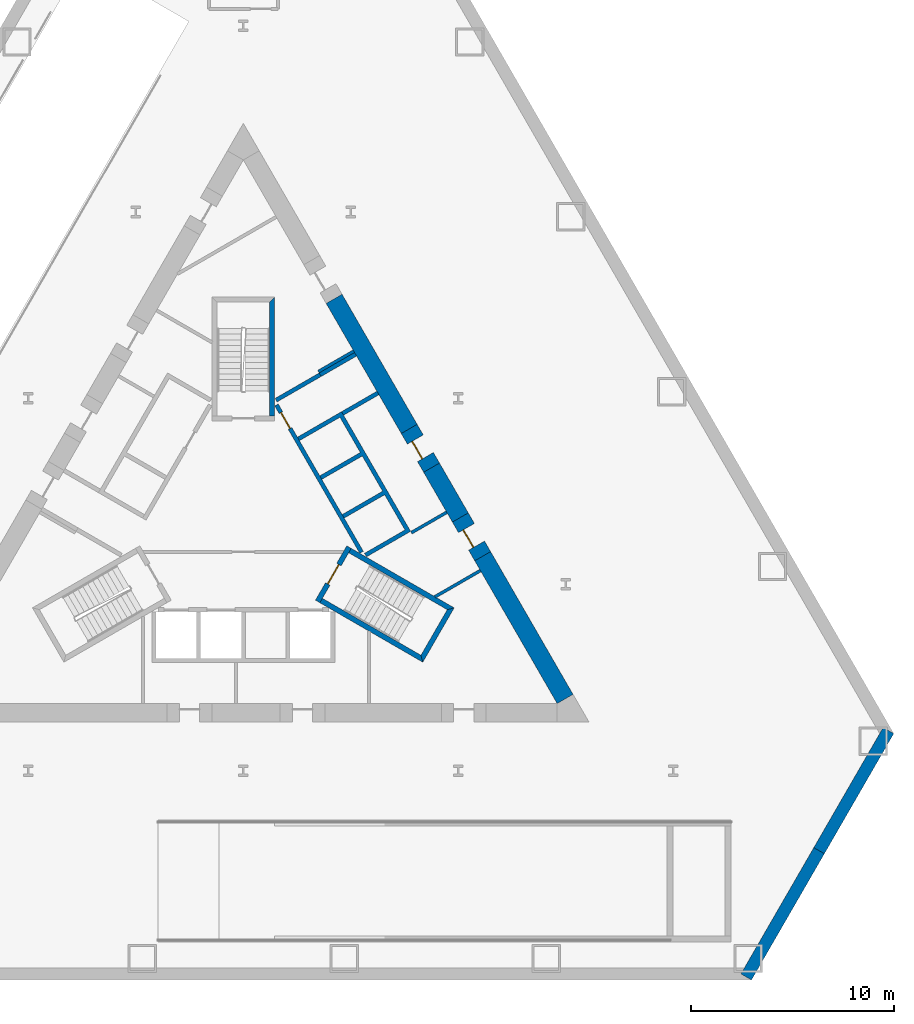
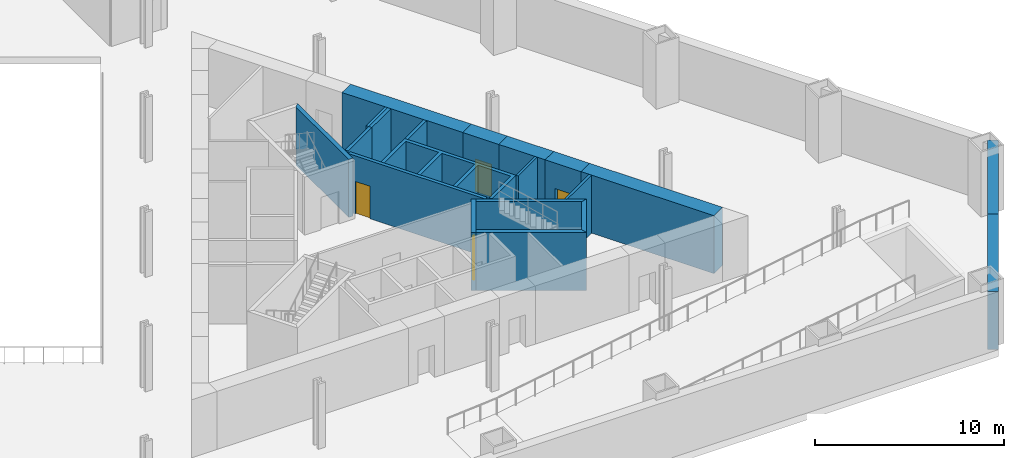
# One storey, part 3 of 5: 20 walls, 4 doors, 4 openings.
"""IFC4 building model written with IfcOpenShell, lengths in metres."""

import ifcopenshell
import ifcopenshell.guid

model = None  # the IFC model being written
_history = None  # IfcOwnerHistory: only IFC2X3 demands one
_inside = {}  # id of a spatial element -> (the spatial element, [elements in it])
_under = {}  # id of a project, library or spatial element -> (it, [spatial elements below it])
_declared = {}  # id of a project -> (the project, [libraries it declares])
_typed = {}  # id of a type object -> (the type object, [elements of that type])
_made_of = {}  # id of a material, layer set ... -> (it, [elements and type objects made of it])


def new_model(schema):
    """Start an empty IFC model of exactly this schema.

    Asked for "IFC4X3", IfcOpenShell would pick the latest addendum, in which some entities
    have other attributes; the version numbers below select the first issue.
    IFC2X3 requires an IfcOwnerHistory on every rooted entity: one is made here for all.
    """
    global model, _history
    if schema == "IFC4X3":
        model = ifcopenshell.file(schema_version=(4, 3, 0, 0))
    else:
        model = ifcopenshell.file(schema=schema)
    _inside.clear()
    _under.clear()
    _declared.clear()
    _typed.clear()
    _made_of.clear()
    _history = None
    if model.schema == "IFC2X3":
        org = make("IfcOrganization", Name="unknown")
        user = make(
            "IfcPersonAndOrganization",
            ThePerson=make("IfcPerson", FamilyName="unknown"),
            TheOrganization=org,
        )
        app = make(
            "IfcApplication",
            ApplicationDeveloper=org,
            Version="unknown",
            ApplicationFullName="unknown",
            ApplicationIdentifier="unknown",
        )
        _history = make(
            "IfcOwnerHistory",
            OwningUser=user,
            OwningApplication=app,
            ChangeAction="ADDED",
            CreationDate=0,
        )
    return model


def make(cls, **values):
    """One entity of the class cls with the attributes given. An attribute that is None is left unset."""
    return model.create_entity(
        cls, **{name: value for name, value in values.items() if value is not None}
    )


def rooted(cls, **values):
    """An entity with a GlobalId (a new one), such as an element, a storey or a relation."""
    return make(cls, GlobalId=ifcopenshell.guid.new(), OwnerHistory=_history, **values)


def si_unit(unit_type, name, prefix=None):
    """IfcSIUnit, for example si_unit("LENGTHUNIT", "METRE", prefix="MILLI")."""
    return make("IfcSIUnit", UnitType=unit_type, Prefix=prefix, Name=name)


def assignment(units):
    """IfcUnitAssignment: the units of a project."""
    return None if units is None else make("IfcUnitAssignment", Units=units)


def point(xyz):
    """IfcCartesianPoint."""
    return None if xyz is None else make("IfcCartesianPoint", Coordinates=xyz)


def direction(xyz):
    """IfcDirection."""
    return None if xyz is None else make("IfcDirection", DirectionRatios=xyz)


def frame(location, z_axis=None, x_axis=None):
    """IfcAxis2Placement3D, a coordinate frame: its origin and axes. An axis left out is left unset."""
    return make(
        "IfcAxis2Placement3D",
        Location=point(location),
        Axis=direction(z_axis),
        RefDirection=direction(x_axis),
    )


def frame_2d(location, x_axis=None):
    """IfcAxis2Placement2D, a coordinate frame in the plane: its origin and x axis."""
    return make(
        "IfcAxis2Placement2D", Location=point(location), RefDirection=direction(x_axis)
    )


def origin():
    """The frame at (0, 0, 0) with its axes left unset."""
    return frame((0.0, 0.0, 0.0))


def place(relative_to, where):
    """IfcLocalPlacement: puts the frame where relative to a parent placement (None: the world)."""
    return make(
        "IfcLocalPlacement", PlacementRelTo=relative_to, RelativePlacement=where
    )


def context(
    kind, dimensions, precision=None, world=None, true_north=None, identifier=None
):
    """IfcGeometricRepresentationContext, for example the 3D "Model" context."""
    return make(
        "IfcGeometricRepresentationContext",
        ContextIdentifier=identifier,
        ContextType=kind,
        CoordinateSpaceDimension=dimensions,
        Precision=precision,
        WorldCoordinateSystem=world,
        TrueNorth=true_north,
    )


def subcontext(parent, identifier, kind, view, scale=None):
    """IfcGeometricRepresentationSubContext, for example "Body" below "Model"."""
    return make(
        "IfcGeometricRepresentationSubContext",
        ContextIdentifier=identifier,
        ContextType=kind,
        ParentContext=parent,
        TargetScale=scale,
        TargetView=view,
    )


def project(units=None, contexts=None):
    """IfcProject with its units and contexts."""
    return rooted(
        "IfcProject",
        Name="project",
        RepresentationContexts=contexts,
        UnitsInContext=assignment(units),
    )


def spatial(cls, under=None, at=None, **own):
    """A site, building, storey or space (cls), placed at a placement, below another one or the project."""
    s = rooted(cls, ObjectPlacement=at, **own)
    if under is not None:
        _under.setdefault(under.id(), (under, []))[1].append(s)
    return s


def polyline(points):
    """IfcPolyline through the points."""
    return make("IfcPolyline", Points=[point(p) for p in points])


def profile(cls, at=None, kind="AREA", **sizes):
    """A parametric profile (cls). Its sizes go by their IFC names, for example OverallWidth=200.0."""
    return make(cls, ProfileType=kind, Position=at, **sizes)


def rectangle(**sizes):
    """IfcRectangleProfileDef."""
    return profile("IfcRectangleProfileDef", **sizes)


def outline(outer, holes=None, kind="AREA"):
    """IfcArbitraryClosedProfileDef: a profile drawn as a closed curve; with holes, ...WithVoids."""
    if holes is None:
        return make("IfcArbitraryClosedProfileDef", ProfileType=kind, OuterCurve=outer)
    return make(
        "IfcArbitraryProfileDefWithVoids",
        ProfileType=kind,
        OuterCurve=outer,
        InnerCurves=holes,
    )


def extrude(swept, where, along, depth):
    """IfcExtrudedAreaSolid: the profile swept, set in the frame where, extruded along a direction by depth."""
    return make(
        "IfcExtrudedAreaSolid",
        SweptArea=swept,
        Position=where,
        ExtrudedDirection=direction(along),
        Depth=depth,
    )


def shape(context_of_items, identifier, shape_type, items):
    """IfcShapeRepresentation: the items that make up one representation, for example the "Body"."""
    return make(
        "IfcShapeRepresentation",
        ContextOfItems=context_of_items,
        RepresentationIdentifier=identifier,
        RepresentationType=shape_type,
        Items=items,
    )


def material(Name=None, Category=None):
    """IfcMaterial."""
    return make("IfcMaterial", Name=Name, Category=Category)


def layer(
    of_material, thickness, ventilated=None, Name=None, Category=None, Priority=None
):
    """IfcMaterialLayer: one layer of a wall or slab, of a material (None: an air gap)."""
    return make(
        "IfcMaterialLayer",
        Material=of_material,
        LayerThickness=thickness,
        IsVentilated=ventilated,
        Name=Name,
        Category=Category,
        Priority=Priority,
    )


def layer_set(layers, Name=None):
    """IfcMaterialLayerSet."""
    return make("IfcMaterialLayerSet", MaterialLayers=layers, LayerSetName=Name)


def made_of(thing, what):
    """Note that an element or type object is made of a material, layer set ...; save() writes the relation."""
    if what is not None:
        _made_of.setdefault(what.id(), (what, []))[1].append(thing)
    return thing


def type_object(cls, material=None, **own):
    """A type object (cls), such as IfcWallType, which elements share."""
    return made_of(rooted(cls, **own), material)


def element(
    cls,
    number,
    at=None,
    inside=None,
    cuts=None,
    type_object=None,
    material=None,
    context=None,
    identifier="Body",
    shape_type=None,
    held_by="IfcProductDefinitionShape",
    body=None,
    shapes=None,
    **own,
):
    """One element of the class cls, such as IfcWall. Its Tag is "e" and its number.

    at: its placement. inside: the storey or other place that contains it. cuts: it is an
    opening in that element (IfcRelVoidsElement). A single representation is given by context,
    identifier, shape_type and body (its items); several are given by shapes. held_by: the class
    of the entity that holds the representations. save() writes the other relations.
    """
    e = rooted(cls, Tag="e%d" % number, ObjectPlacement=at, **own)
    if body is not None:
        shapes = [shape(context, identifier, shape_type, body)]
    if shapes is not None:
        e.Representation = make(held_by, Representations=shapes)
    if inside is not None:
        _inside.setdefault(inside.id(), (inside, []))[1].append(e)
    if cuts is not None:
        rooted(
            "IfcRelVoidsElement", RelatingBuildingElement=cuts, RelatedOpeningElement=e
        )
    if type_object is not None:
        _typed.setdefault(type_object.id(), (type_object, []))[1].append(e)
    return made_of(e, material)


def fill(opening, filler):
    """IfcRelFillsElement: the door or window that sits in an opening."""
    return rooted(
        "IfcRelFillsElement",
        RelatingOpeningElement=opening,
        RelatedBuildingElement=filler,
    )


def aggregate(whole, parts):
    """IfcRelAggregates: a whole, such as a stair, and the parts it consists of."""
    return rooted("IfcRelAggregates", RelatingObject=whole, RelatedObjects=parts)


def save(model, path):
    """Write the relations noted so far, then the file.

    IfcRelAggregates (storeys below a building ...), IfcRelContainedInSpatialStructure (elements
    in a storey), IfcRelDefinesByType, IfcRelAssociatesMaterial and IfcRelDeclares: one each for
    every whole, place, type object, material and project.
    """
    for whole, parts in _under.values():
        aggregate(whole, parts)
    for where, things in _inside.values():
        rooted(
            "IfcRelContainedInSpatialStructure",
            RelatedElements=things,
            RelatingStructure=where,
        )
    for kind, things in _typed.values():
        rooted("IfcRelDefinesByType", RelatedObjects=things, RelatingType=kind)
    for what, things in _made_of.values():
        rooted("IfcRelAssociatesMaterial", RelatedObjects=things, RelatingMaterial=what)
    for by, libraries in _declared.values():
        rooted("IfcRelDeclares", RelatingContext=by, RelatedDefinitions=libraries)
    model.write(path)


model = new_model("IFC4")

# Units and contexts
model_context = context("Model", 3, precision=1e-05, world=origin(), true_north=direction((0.0, 1.0)))
body_context = subcontext(model_context, "Body", "Model", "MODEL_VIEW")
ifc_project = project(units=[si_unit("LENGTHUNIT", "METRE"), si_unit("AREAUNIT", "SQUARE_METRE"), si_unit("VOLUMEUNIT", "CUBIC_METRE"), si_unit("PLANEANGLEUNIT", "RADIAN"), si_unit("MASSUNIT", "GRAM", prefix="KILO")], contexts=[model_context])

# Site, building, storey
site_placement = place(None, origin())
site = spatial("IfcSite", under=ifc_project, at=site_placement, CompositionType="ELEMENT")
building_placement = place(site_placement, origin())
building = spatial("IfcBuilding", under=site, at=building_placement, Name="Cormorant Prow Tower", CompositionType="ELEMENT")
storey_placement = place(building_placement, frame((0.0, 0.0, -4.199951171875)))
storey = spatial("IfcBuildingStorey", under=building, at=storey_placement, Name="B1", CompositionType="ELEMENT", Elevation=-4.199951171875)

# Walls
ifc_material_1 = material(Name="Concrete C45/55", Category="concrete")
ifc_layer_1 = layer(ifc_material_1, 0.60009765625)
ifc_layer_set_1 = layer_set([ifc_layer_1], Name="Concrete C45/55")
wall_type_1 = type_object("IfcWallType", Name="Basement retaining wall 600", PredefinedType="SOLIDWALL", material=ifc_layer_set_1)
for number, where, z_axis, x_axis, name in (
    (1, (24.740234375, -22.36669921875, 0.0), (0.0, 0.0, 1.0), (0.500008229653, 0.86602065234, 0.0), "Basement retaining wall 2 at B1"),
    (2, (28.153564453125, -16.45458984375, 0.0), (0.0, 0.0, 1.0), (0.499993492265, 0.866029160995, 0.0), "Basement retaining wall 3 at B1"),
):
    element("IfcWall", number, at=place(storey_placement, frame(where, z_axis=z_axis, x_axis=x_axis)), inside=storey, type_object=wall_type_1, Name=name, PredefinedType="SOLIDWALL", context=body_context, shape_type="SweptSolid", body=[
        extrude(rectangle(XDim=7.17333984375, YDim=0.60009765625, at=frame_2d((3.586669921875, 0.0))), origin(), (0.0, 0.0, 1.0), 3.75),
    ])
ifc_material_2 = material(Name="Gypsum board partition")
ifc_layer_2 = layer(ifc_material_2, 0.14990234375)
ifc_layer_set_2 = layer_set([ifc_layer_2], Name="Gypsum board partition")
wall_type_2 = type_object("IfcWallType", Name="Core partition 150", PredefinedType="PARTITIONING", material=ifc_layer_set_2)
for number, where, z_axis, x_axis, name in (
    (3, (3.693359375, 7.4150390625, 0.0), (0.0, 0.0, 1.0), (0.866035824272, 0.499981950752, 0.0), "Service room partition"),
    (4, (8.268310546875, -0.509033203125, 0.0), (0.0, 0.0, 1.0), (0.866035824272, 0.499981950752, 0.0), "Service room partition"),
):
    element("IfcWall", number, at=place(storey_placement, frame(where, z_axis=z_axis, x_axis=x_axis)), inside=storey, type_object=wall_type_2, Name=name, PredefinedType="PARTITIONING", context=body_context, shape_type="SweptSolid", body=[
        extrude(rectangle(XDim=2.0087890625, YDim=0.14990234375, at=frame_2d((1.00439453125, 0.0))), origin(), (0.0, 0.0, 1.0), 3.75),
    ])
wall_1_placement = place(storey_placement, frame((11.664306640625, -2.373046875, 0.0), z_axis=(0.0, 0.0, 1.0), x_axis=(-0.866034804124, -0.499983717781, 0.0)))
element("IfcWall", 5, at=wall_1_placement, inside=storey, type_object=wall_type_2, Name="Service room partition", PredefinedType="PARTITIONING", context=body_context, shape_type="SweptSolid", body=[
    extrude(rectangle(XDim=2.58837890625, YDim=0.14990234375, at=frame_2d((1.294189453125, 0.0))), origin(), (0.0, 0.0, 1.0), 3.75),
])
ifc_material_3 = material(Name="Concrete 8000 psi", Category="concrete")
ifc_layer_3 = layer(ifc_material_3, 0.89990234375)
ifc_layer_set_3 = layer_set([ifc_layer_3], Name="Concrete 8000 psi")
wall_type_3 = type_object("IfcWallType", Name="Core shear wall 900", PredefinedType="SHEAR", material=ifc_layer_set_3)
wall_2_placement = place(storey_placement, frame((15.830810546875, -8.68994140625, 0.0), z_axis=(0.0, 0.0, 1.0), x_axis=(-0.499995201193, 0.866028174359, 0.0)))
element("IfcWall", 6, at=wall_2_placement, inside=storey, type_object=wall_type_3, Name="Core wall", PredefinedType="SHEAR", context=body_context, shape_type="SweptSolid", body=[
    extrude(rectangle(XDim=8.10986328125, YDim=0.89990234375, at=frame_2d((4.054931640625, 0.0))), origin(), (0.0, 0.0, 1.0), 3.75),
])
wall_3_placement = place(storey_placement, frame((8.160400390625, 4.595947265625, 0.0), z_axis=(0.0, 0.0, 1.0), x_axis=(-0.500012259336, 0.866018325738, 0.0)))
element("IfcWall", 7, at=wall_3_placement, inside=storey, type_object=wall_type_3, Name="Core wall", PredefinedType="SHEAR", context=body_context, shape_type="SweptSolid", body=[
    extrude(rectangle(XDim=7.389404296875, YDim=0.89990234375, at=frame_2d((3.69482421875, 0.0))), origin(), (0.0, 0.0, 1.0), 3.75),
])
wall_4_placement = place(storey_placement, frame((10.67578125, 0.23876953125, 0.0), z_axis=(0.0, 0.0, 1.0), x_axis=(-0.499978737809, 0.866037679168, 0.0)))
element("IfcWall", 8, at=wall_4_placement, inside=storey, type_object=wall_type_3, Name="Core wall", PredefinedType="SHEAR", context=body_context, shape_type="SweptSolid", body=[
    extrude(rectangle(XDim=2.8310546875, YDim=0.89990234375, at=frame_2d((1.41552734375, 0.0))), origin(), (0.0, 0.0, 1.0), 3.75),
])

# Wall, opening, door
wall_5_placement = place(storey_placement, frame((11.77587890625, -1.66650390625, 0.0), z_axis=(0.0, 0.0, 1.0), x_axis=(-0.50002983664, 0.866008176907, 0.0)))
wall_5 = element("IfcWall", 9, at=wall_5_placement, inside=storey, type_object=wall_type_3, Name="Core wall door panel", PredefinedType="SHEAR", context=body_context, shape_type="SweptSolid", body=[
    extrude(rectangle(XDim=2.199951171875, YDim=0.89990234375, at=frame_2d((1.10009765625, 0.0))), origin(), (0.0, 0.0, 1.0), 3.75),
])
opening_1_placement = place(wall_5_placement, frame((0.60009765625, 0.0, 0.0)))
opening_1 = element("IfcOpeningElement", 10, at=opening_1_placement, cuts=wall_5, Name="Opening B1-C14", PredefinedType="OPENING", context=body_context, shape_type="SweptSolid", body=[
    extrude(rectangle(XDim=1.0, YDim=2.10009765625, at=frame_2d((0.5, 1.050048828125))), frame((0.0, 0.4599609375, 0.0), z_axis=(0.0, -1.0, 0.0), x_axis=(1.0, 0.0, 0.0)), (0.0, 0.0, 1.0), 0.919921875),
])
ifc_material_4 = material(Name="Painted steel", Category="steel")
door_type_1 = type_object("IfcDoorType", Name="Service door 1000x2100", OperationType="NOTDEFINED", PredefinedType="DOOR", material=ifc_material_4)
door_1_placement = place(opening_1_placement, origin())
door_1 = element("IfcDoor", 11, at=door_1_placement, inside=storey, type_object=door_type_1, Name="Core door, Housekeeping store", OperationType="SINGLE_SWING_LEFT", OverallHeight=2.10009765625, OverallWidth=1.0, PredefinedType="DOOR", context=body_context, shape_type="SweptSolid", body=[
    extrude(rectangle(XDim=1.0, YDim=2.10009765625, at=frame_2d((0.5, 1.050048828125))), frame((0.0, 0.205078125, 0.0), z_axis=(0.0, -1.0, 0.0), x_axis=(1.0, 0.0, 0.0)), (0.0, 0.0, 1.0), 0.050048828125),
])
fill(opening_1, door_1)

wall_6_placement = place(storey_placement, frame((9.26025390625, 2.690673828125, 0.0), z_axis=(0.0, 0.0, 1.0), x_axis=(-0.499946605688, 0.86605622881, 0.0)))
wall_6 = element("IfcWall", 12, at=wall_6_placement, inside=storey, type_object=wall_type_3, Name="Core wall door panel", PredefinedType="SHEAR", context=body_context, shape_type="SweptSolid", body=[
    extrude(rectangle(XDim=2.199951171875, YDim=0.89990234375, at=frame_2d((1.10009765625, 0.0))), origin(), (0.0, 0.0, 1.0), 3.75),
])
opening_2_placement = place(wall_6_placement, frame((0.60009765625, 0.0, 0.0)))
opening_2 = element("IfcOpeningElement", 13, at=opening_2_placement, cuts=wall_6, Name="Opening B1-C15", PredefinedType="OPENING", context=body_context, shape_type="SweptSolid", body=[
    extrude(rectangle(XDim=1.0, YDim=2.10009765625, at=frame_2d((0.5, 1.050048828125))), frame((0.0, 0.4599609375, 0.0), z_axis=(0.0, -1.0, 0.0), x_axis=(1.0, 0.0, 0.0)), (0.0, 0.0, 1.0), 0.919921875),
])
door_2_placement = place(opening_2_placement, origin())
door_2 = element("IfcDoor", 14, at=door_2_placement, inside=storey, type_object=door_type_1, Name="Core door, Electrical room", OperationType="SINGLE_SWING_LEFT", OverallHeight=2.10009765625, OverallWidth=1.0, PredefinedType="DOOR", context=body_context, shape_type="SweptSolid", body=[
    extrude(rectangle(XDim=1.0, YDim=2.10009765625, at=frame_2d((0.5, 1.050048828125))), frame((0.0, 0.205078125, 0.0), z_axis=(0.0, -1.0, 0.0), x_axis=(1.0, 0.0, 0.0)), (0.0, 0.0, 1.0), 0.050048828125),
])
fill(opening_2, door_2)

ifc_material_5 = material(Name="Concrete 5000 psi", Category="concrete")
ifc_layer_4 = layer(ifc_material_5, 0.199951171875)
ifc_layer_set_4 = layer_set([ifc_layer_4], Name="Concrete 5000 psi")
wall_type_4 = type_object("IfcWallType", Name="Lift lobby wall 200", PredefinedType="SOLIDWALL", material=ifc_layer_set_4)
wall_7_placement = place(storey_placement, frame((5.817138671875, -1.4755859375, 0.0), z_axis=(0.0, 0.0, 1.0), x_axis=(-0.500002616675, 0.866023893041, 0.0)))
wall_7 = element("IfcWall", 15, at=wall_7_placement, inside=storey, type_object=wall_type_4, Name="Lift lobby wall, ENE block", PredefinedType="SOLIDWALL", context=body_context, shape_type="SweptSolid", body=[
    extrude(rectangle(XDim=8.373046875, YDim=0.199951171875, at=frame_2d((4.1865234375, 0.0))), origin(), (0.0, 0.0, 1.0), 3.75),
])
opening_3_placement = place(wall_7_placement, frame((7.03662109375, 0.0, 0.0)))
opening_3 = element("IfcOpeningElement", 16, at=opening_3_placement, cuts=wall_7, Name="Opening B1-C04", PredefinedType="OPENING", context=body_context, shape_type="SweptSolid", body=[
    extrude(rectangle(XDim=0.89990234375, YDim=2.10009765625, at=frame_2d((0.449951171875, 1.050048828125))), frame((0.0, 0.10986328125, 0.0), z_axis=(0.0, -1.0, 0.0), x_axis=(1.0, 0.0, 0.0)), (0.0, 0.0, 1.0), 0.219970703125),
])
ifc_material_6 = material(Name="Painted steel", Category="steel")
door_type_2 = type_object("IfcDoorType", Name="Service door 900x2100", OperationType="NOTDEFINED", PredefinedType="DOOR", material=ifc_material_6)
door_3_placement = place(opening_3_placement, origin())
door_3 = element("IfcDoor", 17, at=door_3_placement, inside=storey, type_object=door_type_2, Name="Service door, Linen store", OperationType="SINGLE_SWING_RIGHT", OverallHeight=2.10009765625, OverallWidth=0.89990234375, PredefinedType="DOOR", context=body_context, shape_type="SweptSolid", body=[
    extrude(rectangle(XDim=0.89990234375, YDim=2.10009765625, at=frame_2d((0.449951171875, 1.050048828125))), frame((0.0, 0.02490234375, 0.0), z_axis=(0.0, -1.0, 0.0), x_axis=(1.0, 0.0, 0.0)), (0.0, 0.0, 1.0), 0.050048828125),
])
fill(opening_3, door_3)

# Walls
ifc_material_7 = material(Name="Concrete 8000 psi", Category="concrete")
ifc_layer_5 = layer(ifc_material_7, 0.199951171875)
ifc_layer_set_5 = layer_set([ifc_layer_5], Name="Concrete 8000 psi")
wall_type_5 = type_object("IfcWallType", Name="Lift shaft wall 200", PredefinedType="SHEAR", material=ifc_layer_set_5)
wall_8_placement = place(storey_placement, origin())
element("IfcWall", 18, at=wall_8_placement, inside=storey, type_object=wall_type_5, Name="Lift shaft walls, ENE block", PredefinedType="SHEAR", context=body_context, shape_type="SweptSolid", body=[
    extrude(outline(polyline([(1.560546875, 6.09716796875), (3.730712890625, 7.35009765625), (3.830810546875, 7.177001953125), (1.660400390625, 5.923828125), (1.560546875, 6.09716796875)])), origin(), (0.0, 0.0, 1.0), 3.75),
])
wall_9_placement = place(storey_placement, origin())
element("IfcWall", 19, at=wall_9_placement, inside=storey, type_object=wall_type_5, Name="Lift shaft walls, ENE block", PredefinedType="SHEAR", context=body_context, shape_type="SweptSolid", body=[
    extrude(outline(polyline([(2.660400390625, 4.19189453125), (4.830810546875, 5.44482421875), (8.230712890625, -0.444091796875), (6.060546875, -1.697021484375), (5.96044921875, -1.52392578125), (7.952392578125, -0.373779296875), (6.952392578125, 1.358154296875), (4.96044921875, 0.2080078125), (4.860595703125, 0.38134765625), (6.852294921875, 1.53125), (5.852294921875, 3.263427734375), (3.860595703125, 2.11328125), (3.760498046875, 2.28662109375), (5.75244140625, 3.4365234375), (4.75244140625, 5.168701171875), (2.760498046875, 4.018798828125), (2.660400390625, 4.19189453125)])), origin(), (0.0, 0.0, 1.0), 3.75),
])
wall_10_placement = place(storey_placement, frame((4.880859375, 5.3583984375, 0.0), z_axis=(0.0, 0.0, 1.0), x_axis=(0.866035824272, 0.499981950752, 0.0)))
element("IfcWall", 20, at=wall_10_placement, inside=storey, type_object=wall_type_5, Name="Store side wall", PredefinedType="SHEAR", context=body_context, shape_type="SweptSolid", body=[
    extrude(rectangle(XDim=2.0087890625, YDim=0.199951171875, at=frame_2d((1.00439453125, 0.0))), origin(), (0.0, 0.0, 1.0), 3.75),
])
wall_11_placement = place(storey_placement, frame((3.78076171875, 7.263427734375, 0.0), z_axis=(0.0, 0.0, 1.0), x_axis=(0.865983199114, 0.50007309351, 0.0)))
element("IfcWall", 21, at=wall_11_placement, inside=storey, type_object=wall_type_5, Name="Store side wall", PredefinedType="SHEAR", context=body_context, shape_type="SweptSolid", body=[
    extrude(rectangle(XDim=2.009033203125, YDim=0.199951171875, at=frame_2d((1.00439453125, 0.0))), origin(), (0.0, 0.0, 1.0), 3.75),
])
ifc_material_8 = material(Name="Concrete 8000 psi", Category="concrete")
ifc_layer_6 = layer(ifc_material_8, 0.25)
ifc_layer_set_6 = layer_set([ifc_layer_6], Name="Concrete 8000 psi")
wall_type_6 = type_object("IfcWallType", Name="Stair wall 250", PredefinedType="SHEAR", material=ifc_layer_set_6)
wall_12_placement = place(storey_placement, origin())
element("IfcWall", 22, at=wall_12_placement, inside=storey, type_object=wall_type_6, Name="Stair ST2 enclosure wall (flank)", PredefinedType="SHEAR", context=body_context, shape_type="SweptSolid", body=[
    extrude(outline(polyline([(3.76318359375, -3.95556640625), (8.82958984375, -6.880615234375), (8.738037109375, -6.5390625), (3.88818359375, -3.739013671875), (3.76318359375, -3.95556640625)])), origin(), (0.0, 0.0, 1.0), 3.75),
])
wall_13_placement = place(storey_placement, origin())
element("IfcWall", 23, at=wall_13_placement, inside=storey, type_object=wall_type_6, Name="Stair ST2 enclosure wall (end)", PredefinedType="SHEAR", context=body_context, shape_type="SweptSolid", body=[
    extrude(outline(polyline([(8.82958984375, -6.880615234375), (10.37353515625, -4.206298828125), (10.031982421875, -4.2978515625), (8.738037109375, -6.5390625), (8.82958984375, -6.880615234375)])), origin(), (0.0, 0.0, 1.0), 3.75),
])
wall_14_placement = place(storey_placement, origin())
element("IfcWall", 24, at=wall_14_placement, inside=storey, type_object=wall_type_6, Name="Stair ST2 enclosure wall (flank)", PredefinedType="SHEAR", context=body_context, shape_type="SweptSolid", body=[
    extrude(outline(polyline([(10.031982421875, -4.2978515625), (10.37353515625, -4.206298828125), (5.30712890625, -1.28125), (5.18212890625, -1.497802734375), (10.031982421875, -4.2978515625)])), origin(), (0.0, 0.0, 1.0), 3.75),
])

# Wall, opening, door
wall_15_placement = place(storey_placement, frame((3.655029296875, -3.89306640625, 0.0), z_axis=(0.0, 0.0, 1.0), x_axis=(0.499982516597, 0.866035497597, 0.0)))
wall_15 = element("IfcWall", 25, at=wall_15_placement, inside=storey, type_object=wall_type_6, Name="Stair ST2 door wall", PredefinedType="SHEAR", context=body_context, shape_type="SweptSolid", body=[
    extrude(rectangle(XDim=3.087890625, YDim=0.25, at=frame_2d((1.5439453125, 0.0))), origin(), (0.0, 0.0, 1.0), 3.75),
])
opening_4_placement = place(wall_15_placement, frame((0.993896484375, 0.0, 0.0)))
opening_4 = element("IfcOpeningElement", 26, at=opening_4_placement, cuts=wall_15, Name="Opening B1-C08", PredefinedType="OPENING", context=body_context, shape_type="SweptSolid", body=[
    extrude(rectangle(XDim=1.10009765625, YDim=2.10009765625, at=frame_2d((0.550048828125, 1.050048828125))), frame((0.0, 0.135009765625, 0.0), z_axis=(0.0, -1.0, 0.0), x_axis=(1.0, 0.0, 0.0)), (0.0, 0.0, 1.0), 0.27001953125),
])
ifc_material_9 = material(Name="Painted steel", Category="steel")
door_type_3 = type_object("IfcDoorType", Name="Stair door 1100x2100", OperationType="NOTDEFINED", PredefinedType="DOOR", material=ifc_material_9)
door_4_placement = place(opening_4_placement, origin())
door_4 = element("IfcDoor", 27, at=door_4_placement, inside=storey, type_object=door_type_3, Name="Stair ST2 door", OperationType="SINGLE_SWING_RIGHT", OverallHeight=2.10009765625, OverallWidth=1.10009765625, PredefinedType="DOOR", context=body_context, shape_type="SweptSolid", body=[
    extrude(rectangle(XDim=1.10009765625, YDim=2.10009765625, at=frame_2d((0.550048828125, 1.050048828125))), frame((0.0, 0.02490234375, 0.0), z_axis=(0.0, -1.0, 0.0), x_axis=(1.0, 0.0, 0.0)), (0.0, 0.0, 1.0), 0.050048828125),
])
fill(opening_4, door_4)

# Wall
wall_16_placement = place(storey_placement, origin())
element("IfcWall", 28, at=wall_16_placement, inside=storey, type_object=wall_type_6, Name="Stair ST3 enclosure wall (flank)", PredefinedType="SHEAR", context=body_context, shape_type="SweptSolid", body=[
    extrude(outline(polyline([(1.5439453125, 5.23681640625), (1.5439453125, 11.0869140625), (1.2939453125, 10.8369140625), (1.2939453125, 5.23681640625), (1.5439453125, 5.23681640625)])), origin(), (0.0, 0.0, 1.0), 3.75),
])

save(model, "model.ifc")
